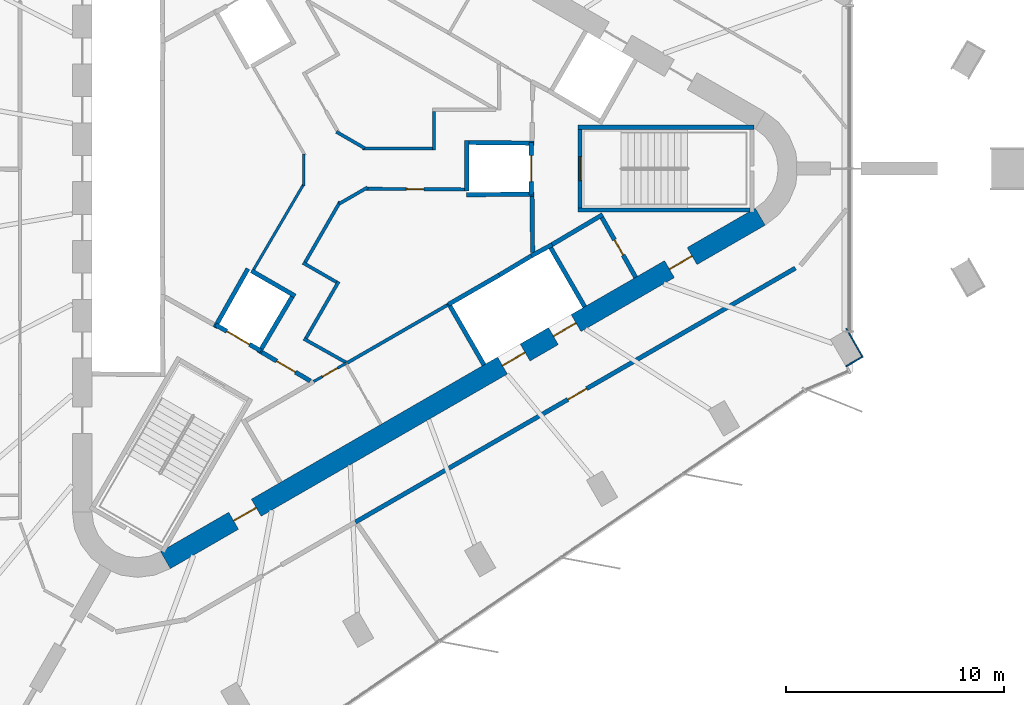
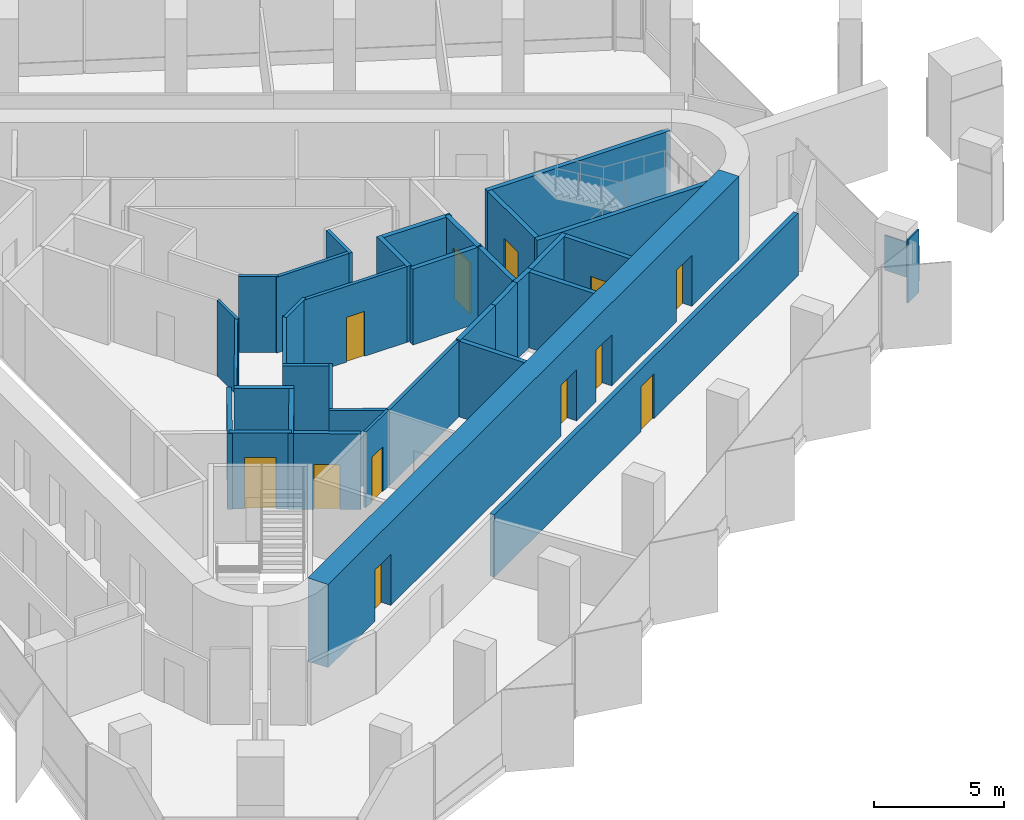
# One storey, part 8 of 12: 37 walls, 12 doors, 12 openings.
"""IFC4 building model written with IfcOpenShell, lengths in metres."""

import ifcopenshell
import ifcopenshell.guid

model = None  # the IFC model being written
_history = None  # IfcOwnerHistory: only IFC2X3 demands one
_inside = {}  # id of a spatial element -> (the spatial element, [elements in it])
_under = {}  # id of a project, library or spatial element -> (it, [spatial elements below it])
_declared = {}  # id of a project -> (the project, [libraries it declares])
_typed = {}  # id of a type object -> (the type object, [elements of that type])
_made_of = {}  # id of a material, layer set ... -> (it, [elements and type objects made of it])


def new_model(schema):
    """Start an empty IFC model of exactly this schema.

    Asked for "IFC4X3", IfcOpenShell would pick the latest addendum, in which some entities
    have other attributes; the version numbers below select the first issue.
    IFC2X3 requires an IfcOwnerHistory on every rooted entity: one is made here for all.
    """
    global model, _history
    if schema == "IFC4X3":
        model = ifcopenshell.file(schema_version=(4, 3, 0, 0))
    else:
        model = ifcopenshell.file(schema=schema)
    _inside.clear()
    _under.clear()
    _declared.clear()
    _typed.clear()
    _made_of.clear()
    _history = None
    if model.schema == "IFC2X3":
        org = make("IfcOrganization", Name="unknown")
        user = make(
            "IfcPersonAndOrganization",
            ThePerson=make("IfcPerson", FamilyName="unknown"),
            TheOrganization=org,
        )
        app = make(
            "IfcApplication",
            ApplicationDeveloper=org,
            Version="unknown",
            ApplicationFullName="unknown",
            ApplicationIdentifier="unknown",
        )
        _history = make(
            "IfcOwnerHistory",
            OwningUser=user,
            OwningApplication=app,
            ChangeAction="ADDED",
            CreationDate=0,
        )
    return model


def make(cls, **values):
    """One entity of the class cls with the attributes given. An attribute that is None is left unset."""
    return model.create_entity(
        cls, **{name: value for name, value in values.items() if value is not None}
    )


def rooted(cls, **values):
    """An entity with a GlobalId (a new one), such as an element, a storey or a relation."""
    return make(cls, GlobalId=ifcopenshell.guid.new(), OwnerHistory=_history, **values)


def si_unit(unit_type, name, prefix=None):
    """IfcSIUnit, for example si_unit("LENGTHUNIT", "METRE", prefix="MILLI")."""
    return make("IfcSIUnit", UnitType=unit_type, Prefix=prefix, Name=name)


def assignment(units):
    """IfcUnitAssignment: the units of a project."""
    return None if units is None else make("IfcUnitAssignment", Units=units)


def point(xyz):
    """IfcCartesianPoint."""
    return None if xyz is None else make("IfcCartesianPoint", Coordinates=xyz)


def direction(xyz):
    """IfcDirection."""
    return None if xyz is None else make("IfcDirection", DirectionRatios=xyz)


def frame(location, z_axis=None, x_axis=None):
    """IfcAxis2Placement3D, a coordinate frame: its origin and axes. An axis left out is left unset."""
    return make(
        "IfcAxis2Placement3D",
        Location=point(location),
        Axis=direction(z_axis),
        RefDirection=direction(x_axis),
    )


def frame_2d(location, x_axis=None):
    """IfcAxis2Placement2D, a coordinate frame in the plane: its origin and x axis."""
    return make(
        "IfcAxis2Placement2D", Location=point(location), RefDirection=direction(x_axis)
    )


def origin():
    """The frame at (0, 0, 0) with its axes left unset."""
    return frame((0.0, 0.0, 0.0))


def place(relative_to, where):
    """IfcLocalPlacement: puts the frame where relative to a parent placement (None: the world)."""
    return make(
        "IfcLocalPlacement", PlacementRelTo=relative_to, RelativePlacement=where
    )


def context(
    kind, dimensions, precision=None, world=None, true_north=None, identifier=None
):
    """IfcGeometricRepresentationContext, for example the 3D "Model" context."""
    return make(
        "IfcGeometricRepresentationContext",
        ContextIdentifier=identifier,
        ContextType=kind,
        CoordinateSpaceDimension=dimensions,
        Precision=precision,
        WorldCoordinateSystem=world,
        TrueNorth=true_north,
    )


def subcontext(parent, identifier, kind, view, scale=None):
    """IfcGeometricRepresentationSubContext, for example "Body" below "Model"."""
    return make(
        "IfcGeometricRepresentationSubContext",
        ContextIdentifier=identifier,
        ContextType=kind,
        ParentContext=parent,
        TargetScale=scale,
        TargetView=view,
    )


def project(units=None, contexts=None):
    """IfcProject with its units and contexts."""
    return rooted(
        "IfcProject",
        Name="project",
        RepresentationContexts=contexts,
        UnitsInContext=assignment(units),
    )


def spatial(cls, under=None, at=None, **own):
    """A site, building, storey or space (cls), placed at a placement, below another one or the project."""
    s = rooted(cls, ObjectPlacement=at, **own)
    if under is not None:
        _under.setdefault(under.id(), (under, []))[1].append(s)
    return s


def profile(cls, at=None, kind="AREA", **sizes):
    """A parametric profile (cls). Its sizes go by their IFC names, for example OverallWidth=200.0."""
    return make(cls, ProfileType=kind, Position=at, **sizes)


def rectangle(**sizes):
    """IfcRectangleProfileDef."""
    return profile("IfcRectangleProfileDef", **sizes)


def extrude(swept, where, along, depth):
    """IfcExtrudedAreaSolid: the profile swept, set in the frame where, extruded along a direction by depth."""
    return make(
        "IfcExtrudedAreaSolid",
        SweptArea=swept,
        Position=where,
        ExtrudedDirection=direction(along),
        Depth=depth,
    )


def shape(context_of_items, identifier, shape_type, items):
    """IfcShapeRepresentation: the items that make up one representation, for example the "Body"."""
    return make(
        "IfcShapeRepresentation",
        ContextOfItems=context_of_items,
        RepresentationIdentifier=identifier,
        RepresentationType=shape_type,
        Items=items,
    )


def material(Name=None, Category=None):
    """IfcMaterial."""
    return make("IfcMaterial", Name=Name, Category=Category)


def layer(
    of_material, thickness, ventilated=None, Name=None, Category=None, Priority=None
):
    """IfcMaterialLayer: one layer of a wall or slab, of a material (None: an air gap)."""
    return make(
        "IfcMaterialLayer",
        Material=of_material,
        LayerThickness=thickness,
        IsVentilated=ventilated,
        Name=Name,
        Category=Category,
        Priority=Priority,
    )


def layer_set(layers, Name=None):
    """IfcMaterialLayerSet."""
    return make("IfcMaterialLayerSet", MaterialLayers=layers, LayerSetName=Name)


def made_of(thing, what):
    """Note that an element or type object is made of a material, layer set ...; save() writes the relation."""
    if what is not None:
        _made_of.setdefault(what.id(), (what, []))[1].append(thing)
    return thing


def type_object(cls, material=None, **own):
    """A type object (cls), such as IfcWallType, which elements share."""
    return made_of(rooted(cls, **own), material)


def element(
    cls,
    number,
    at=None,
    inside=None,
    cuts=None,
    type_object=None,
    material=None,
    context=None,
    identifier="Body",
    shape_type=None,
    held_by="IfcProductDefinitionShape",
    body=None,
    shapes=None,
    **own,
):
    """One element of the class cls, such as IfcWall. Its Tag is "e" and its number.

    at: its placement. inside: the storey or other place that contains it. cuts: it is an
    opening in that element (IfcRelVoidsElement). A single representation is given by context,
    identifier, shape_type and body (its items); several are given by shapes. held_by: the class
    of the entity that holds the representations. save() writes the other relations.
    """
    e = rooted(cls, Tag="e%d" % number, ObjectPlacement=at, **own)
    if body is not None:
        shapes = [shape(context, identifier, shape_type, body)]
    if shapes is not None:
        e.Representation = make(held_by, Representations=shapes)
    if inside is not None:
        _inside.setdefault(inside.id(), (inside, []))[1].append(e)
    if cuts is not None:
        rooted(
            "IfcRelVoidsElement", RelatingBuildingElement=cuts, RelatedOpeningElement=e
        )
    if type_object is not None:
        _typed.setdefault(type_object.id(), (type_object, []))[1].append(e)
    return made_of(e, material)


def fill(opening, filler):
    """IfcRelFillsElement: the door or window that sits in an opening."""
    return rooted(
        "IfcRelFillsElement",
        RelatingOpeningElement=opening,
        RelatedBuildingElement=filler,
    )


def aggregate(whole, parts):
    """IfcRelAggregates: a whole, such as a stair, and the parts it consists of."""
    return rooted("IfcRelAggregates", RelatingObject=whole, RelatedObjects=parts)


def save(model, path):
    """Write the relations noted so far, then the file.

    IfcRelAggregates (storeys below a building ...), IfcRelContainedInSpatialStructure (elements
    in a storey), IfcRelDefinesByType, IfcRelAssociatesMaterial and IfcRelDeclares: one each for
    every whole, place, type object, material and project.
    """
    for whole, parts in _under.values():
        aggregate(whole, parts)
    for where, things in _inside.values():
        rooted(
            "IfcRelContainedInSpatialStructure",
            RelatedElements=things,
            RelatingStructure=where,
        )
    for kind, things in _typed.values():
        rooted("IfcRelDefinesByType", RelatedObjects=things, RelatingType=kind)
    for what, things in _made_of.values():
        rooted("IfcRelAssociatesMaterial", RelatedObjects=things, RelatingMaterial=what)
    for by, libraries in _declared.values():
        rooted("IfcRelDeclares", RelatingContext=by, RelatedDefinitions=libraries)
    model.write(path)


model = new_model("IFC4")

# Units and contexts
model_context = context("Model", 3, precision=1e-05, world=origin(), true_north=direction((0.0, 1.0)))
body_context = subcontext(model_context, "Body", "Model", "MODEL_VIEW")
ifc_project = project(units=[si_unit("LENGTHUNIT", "METRE"), si_unit("AREAUNIT", "SQUARE_METRE"), si_unit("VOLUMEUNIT", "CUBIC_METRE"), si_unit("PLANEANGLEUNIT", "RADIAN"), si_unit("MASSUNIT", "GRAM", prefix="KILO")], contexts=[model_context])

# Site, building, storey
site_placement = place(None, origin())
site = spatial("IfcSite", under=ifc_project, at=site_placement, CompositionType="ELEMENT")
building_placement = place(site_placement, origin())
building = spatial("IfcBuilding", under=site, at=building_placement, Name="Tanit Gate Tower", CompositionType="ELEMENT")
storey_placement = place(building_placement, frame((0.0, 0.0, 388.39990234375)))
storey = spatial("IfcBuildingStorey", under=building, at=storey_placement, Name="L89", CompositionType="ELEMENT", Elevation=388.39990234375)

# Wall, openings, doors
ifc_material_1 = material(Name="Concrete C40/50", Category="concrete")
ifc_layer_1 = layer(ifc_material_1, 0.89990234375)
ifc_layer_set_1 = layer_set([ifc_layer_1], Name="CORE WALL 900 C40/50")
wall_type_1 = type_object("IfcWallType", Name="CORE WALL 900 C40/50", PredefinedType="SHEAR", material=ifc_layer_set_1)
wall_1_placement = place(storey_placement, frame((-7.824951171875, -17.969970703125, 0.0), z_axis=(0.0, 0.0, 1.0), x_axis=(0.866028369851, 0.499994862586, 0.0)))
wall_1 = element("IfcWall", 1, at=wall_1_placement, inside=storey, type_object=wall_type_1, Name="CORE WALL", PredefinedType="SHEAR", context=body_context, shape_type="SweptSolid", body=[
    extrude(rectangle(XDim=31.523193359375, YDim=0.89990234375, at=frame_2d((15.76171875, 0.0))), origin(), (0.0, 0.0, 1.0), 3.900146484375),
])
opening_1_placement = place(wall_1_placement, frame((17.861572265625, 0.0, 0.0)))
opening_1 = element("IfcOpeningElement", 2, at=opening_1_placement, cuts=wall_1, Name="Opening LDSV1-89", PredefinedType="OPENING", context=body_context, shape_type="SweptSolid", body=[
    extrude(rectangle(XDim=1.199951171875, YDim=2.39990234375, at=frame_2d((0.60009765625, 1.199951171875))), frame((0.0, 0.4599609375, 0.0), z_axis=(0.0, -1.0, 0.0), x_axis=(1.0, 0.0, 0.0)), (0.0, 0.0, 1.0), 0.919921875),
])
opening_2_placement = place(wall_1_placement, frame((20.561767578125, 0.0, 0.0)))
opening_2 = element("IfcOpeningElement", 3, at=opening_2_placement, cuts=wall_1, Name="Opening LDSV2-89", PredefinedType="OPENING", context=body_context, shape_type="SweptSolid", body=[
    extrude(rectangle(XDim=1.199951171875, YDim=2.39990234375, at=frame_2d((0.60009765625, 1.199951171875))), frame((0.0, 0.4599609375, 0.0), z_axis=(0.0, -1.0, 0.0), x_axis=(1.0, 0.0, 0.0)), (0.0, 0.0, 1.0), 0.919921875),
])
opening_3_placement = place(wall_1_placement, frame((26.711669921875, 0.0, 0.0)))
opening_3 = element("IfcOpeningElement", 4, at=opening_3_placement, cuts=wall_1, Name="Opening F12-89-S1", PredefinedType="OPENING", context=body_context, shape_type="SweptSolid", body=[
    extrude(rectangle(XDim=1.199951171875, YDim=2.39990234375, at=frame_2d((0.60009765625, 1.199951171875))), frame((0.0, 0.4599609375, 0.0), z_axis=(0.0, -1.0, 0.0), x_axis=(1.0, 0.0, 0.0)), (0.0, 0.0, 1.0), 0.919921875),
])
opening_4_placement = place(wall_1_placement, frame((3.611572265625, 0.0, 0.0)))
opening_4 = element("IfcOpeningElement", 5, at=opening_4_placement, cuts=wall_1, Name="Opening F12-89-FL3", PredefinedType="OPENING", context=body_context, shape_type="SweptSolid", body=[
    extrude(rectangle(XDim=1.199951171875, YDim=2.39990234375, at=frame_2d((0.60009765625, 1.199951171875))), frame((0.0, 0.4599609375, 0.0), z_axis=(0.0, -1.0, 0.0), x_axis=(1.0, 0.0, 0.0)), (0.0, 0.0, 1.0), 0.919921875),
])
ifc_material_2 = material(Name="Fire-rated steel door leaf", Category="steel")
door_type_1 = type_object("IfcDoorType", Name="INT-DOOR-FIRE-LOBBY-1200", OperationType="NOTDEFINED", PredefinedType="USERDEFINED", material=ifc_material_2)
door_1_placement = place(opening_3_placement, origin())
door_1 = element("IfcDoor", 6, at=door_1_placement, inside=storey, type_object=door_type_1, Name="Door F12-89-S1", ObjectType="FIRE DOOR", OperationType="SINGLE_SWING_LEFT", OverallHeight=2.39990234375, OverallWidth=1.199951171875, PredefinedType="USERDEFINED", context=body_context, shape_type="SweptSolid", body=[
    extrude(rectangle(XDim=1.199951171875, YDim=2.39990234375, at=frame_2d((0.60009765625, 1.199951171875))), frame((0.0, 0.02490234375, 0.0), z_axis=(0.0, -1.0, 0.0), x_axis=(1.0, 0.0, 0.0)), (0.0, 0.0, 1.0), 0.050048828125),
])
fill(opening_3, door_1)
door_2_placement = place(opening_4_placement, origin())
door_2 = element("IfcDoor", 7, at=door_2_placement, inside=storey, type_object=door_type_1, Name="Door F12-89-FL3", ObjectType="FIRE DOOR", OperationType="SINGLE_SWING_LEFT", OverallHeight=2.39990234375, OverallWidth=1.199951171875, PredefinedType="USERDEFINED", context=body_context, shape_type="SweptSolid", body=[
    extrude(rectangle(XDim=1.199951171875, YDim=2.39990234375, at=frame_2d((0.60009765625, 1.199951171875))), frame((0.0, 0.02490234375, 0.0), z_axis=(0.0, -1.0, 0.0), x_axis=(1.0, 0.0, 0.0)), (0.0, 0.0, 1.0), 0.050048828125),
])
fill(opening_4, door_2)
ifc_material_3 = material(Name="Stainless steel sliding door leaf", Category="steel")
door_type_2 = type_object("IfcDoorType", Name="INT-DOOR-LANDING-1200", OperationType="NOTDEFINED", PredefinedType="USERDEFINED", material=ifc_material_3)
door_3_placement = place(opening_1_placement, origin())
door_3 = element("IfcDoor", 8, at=door_3_placement, inside=storey, type_object=door_type_2, Name="Door LDSV1-89", ObjectType="LANDING DOOR", OperationType="SLIDING_TO_LEFT", OverallHeight=2.39990234375, OverallWidth=1.199951171875, PredefinedType="USERDEFINED", context=body_context, shape_type="SweptSolid", body=[
    extrude(rectangle(XDim=1.199951171875, YDim=2.39990234375, at=frame_2d((0.60009765625, 1.199951171875))), frame((0.0, 0.02490234375, 0.0), z_axis=(0.0, -1.0, 0.0), x_axis=(1.0, 0.0, 0.0)), (0.0, 0.0, 1.0), 0.050048828125),
])
fill(opening_1, door_3)
door_4_placement = place(opening_2_placement, origin())
door_4 = element("IfcDoor", 9, at=door_4_placement, inside=storey, type_object=door_type_2, Name="Door LDSV2-89", ObjectType="LANDING DOOR", OperationType="SLIDING_TO_LEFT", OverallHeight=2.39990234375, OverallWidth=1.199951171875, PredefinedType="USERDEFINED", context=body_context, shape_type="SweptSolid", body=[
    extrude(rectangle(XDim=1.199951171875, YDim=2.39990234375, at=frame_2d((0.60009765625, 1.199951171875))), frame((0.0, 0.02490234375, 0.0), z_axis=(0.0, -1.0, 0.0), x_axis=(1.0, 0.0, 0.0)), (0.0, 0.0, 1.0), 0.050048828125),
])
fill(opening_2, door_4)

# Walls
ifc_material_4 = material(Name="Bronze anodised aluminium cladding", Category="aluminium")
ifc_layer_2 = layer(ifc_material_4, 0.06005859375)
ifc_layer_set_2 = layer_set([ifc_layer_2], Name="Column casing bronze 60")
wall_type_2 = type_object("IfcWallType", Name="Column casing bronze 60", PredefinedType="SOLIDWALL", material=ifc_layer_set_2)
wall_2_placement = place(storey_placement, frame((23.42578125, -7.34521484375, 1.10009765625), z_axis=(0.0, 0.0, 1.0), x_axis=(0.499991248344, -0.866030456496, 0.0)))
element("IfcWall", 10, at=wall_2_placement, inside=storey, type_object=wall_type_2, Name="Column casing L89 P-SE7.L1", PredefinedType="SOLIDWALL", context=body_context, shape_type="SweptSolid", body=[
    extrude(rectangle(XDim=1.52001953125, YDim=0.06005859375, at=frame_2d((0.760009765625, 0.0))), origin(), (0.0, 0.0, 1.0), 1.635986328125),
])
wall_3_placement = place(storey_placement, frame((23.40869140625, -9.075439453125, 0.60009765625), z_axis=(0.0, 0.0, 1.0), x_axis=(0.865989465428, 0.500062241894, 0.0)))
element("IfcWall", 11, at=wall_3_placement, inside=storey, type_object=wall_type_2, Name="Column casing L89 P-SE7.S1", PredefinedType="SOLIDWALL", context=body_context, shape_type="SweptSolid", body=[
    extrude(rectangle(XDim=0.85009765625, YDim=0.06005859375, at=frame_2d((0.425048828125, 0.0))), origin(), (0.0, 0.0, 1.0), 2.949951171875),
])
ifc_material_5 = material(Name="Fire-rated gypsum board partition")
ifc_layer_3 = layer(ifc_material_5, 0.199951171875)
ifc_layer_set_3 = layer_set([ifc_layer_3], Name="INT-WALL-COMPARTMENT")
wall_type_3 = type_object("IfcWallType", Name="INT-WALL-COMPARTMENT", PredefinedType="PARTITIONING", material=ifc_layer_set_3)
wall_4_placement = place(storey_placement, frame((12.244873046875, -2.10888671875, 0.0), z_axis=(0.0, 0.0, 1.0), x_axis=(-0.860414880418, -0.509594185166, 0.0)))
element("IfcWall", 12, at=wall_4_placement, inside=storey, type_object=wall_type_3, Name="Wall Compartment W062", PredefinedType="PARTITIONING", context=body_context, shape_type="SweptSolid", body=[
    extrude(rectangle(XDim=2.7001953125, YDim=0.199951171875, at=frame_2d((1.35009765625, 0.0))), origin(), (0.0, 0.0, 1.0), 3.550048828125),
])

# Wall, opening, door
wall_5_placement = place(storey_placement, frame((13.758056640625, -4.989501953125, 0.0), z_axis=(0.0, 0.0, 1.0), x_axis=(-0.491993409184, 0.87059892334, 0.0)))
wall_5 = element("IfcWall", 13, at=wall_5_placement, inside=storey, type_object=wall_type_3, Name="Wall Compartment W063", PredefinedType="PARTITIONING", context=body_context, shape_type="SweptSolid", body=[
    extrude(rectangle(XDim=3.150146484375, YDim=0.199951171875, at=frame_2d((1.5751953125, 0.0))), origin(), (0.0, 0.0, 1.0), 3.550048828125),
])
opening_5_placement = place(wall_5_placement, frame((1.175048828125, 0.0, 0.0)))
opening_5 = element("IfcOpeningElement", 14, at=opening_5_placement, cuts=wall_5, Name="Opening R08-89-19", PredefinedType="OPENING", context=body_context, shape_type="SweptSolid", body=[
    extrude(rectangle(XDim=0.800048828125, YDim=2.10009765625, at=frame_2d((0.39990234375, 1.050048828125))), frame((0.0, 0.10986328125, 0.0), z_axis=(0.0, -1.0, 0.0), x_axis=(1.0, 0.0, 0.0)), (0.0, 0.0, 1.0), 0.219970703125),
])
ifc_material_6 = material(Name="Timber door leaf", Category="wood")
door_type_3 = type_object("IfcDoorType", Name="INT-DOOR-RISER-800", OperationType="NOTDEFINED", PredefinedType="USERDEFINED", material=ifc_material_6)
door_5_placement = place(opening_5_placement, origin())
door_5 = element("IfcDoor", 15, at=door_5_placement, inside=storey, type_object=door_type_3, Name="Door R08-89-19", ObjectType="FIRE DOOR", OperationType="SINGLE_SWING_LEFT", OverallHeight=2.10009765625, OverallWidth=0.800048828125, PredefinedType="USERDEFINED", context=body_context, shape_type="SweptSolid", body=[
    extrude(rectangle(XDim=0.800048828125, YDim=2.10009765625, at=frame_2d((0.39990234375, 1.050048828125))), frame((0.0, 0.02490234375, 0.0), z_axis=(0.0, -1.0, 0.0), x_axis=(1.0, 0.0, 0.0)), (0.0, 0.0, 1.0), 0.050048828125),
])
fill(opening_5, door_5)

# Wall
wall_6_placement = place(storey_placement, frame((9.02880859375, -3.8505859375, 0.0), z_axis=(0.0, 0.0, 1.0), x_axis=(-0.010784614026, 0.999941844359, 0.0)))
element("IfcWall", 16, at=wall_6_placement, inside=storey, type_object=wall_type_3, Name="Wall Compartment W064", PredefinedType="PARTITIONING", context=body_context, shape_type="SweptSolid", body=[
    extrude(rectangle(XDim=2.580810546875, YDim=0.199951171875, at=frame_2d((1.29052734375, 0.0))), origin(), (0.0, 0.0, 1.0), 3.550048828125),
])

# Wall, opening, door
wall_7_placement = place(storey_placement, frame((-3.400634765625, -8.43017578125, 0.0), z_axis=(0.0, 0.0, 1.0), x_axis=(0.860630814782, -0.509229418482, 0.0)))
wall_7 = element("IfcWall", 17, at=wall_7_placement, inside=storey, type_object=wall_type_3, Name="Wall Compartment W069", PredefinedType="PARTITIONING", context=body_context, shape_type="SweptSolid", body=[
    extrude(rectangle(XDim=2.581787109375, YDim=0.199951171875, at=frame_2d((1.291015625, 0.0))), origin(), (0.0, 0.0, 1.0), 3.550048828125),
])
opening_6_placement = place(wall_7_placement, frame((0.791015625, 0.0, 0.0)))
opening_6 = element("IfcOpeningElement", 18, at=opening_6_placement, cuts=wall_7, Name="Opening F10-89-08", PredefinedType="OPENING", context=body_context, shape_type="SweptSolid", body=[
    extrude(rectangle(XDim=1.0, YDim=2.10009765625, at=frame_2d((0.5, 1.050048828125))), frame((0.0, 0.10986328125, 0.0), z_axis=(0.0, -1.0, 0.0), x_axis=(1.0, 0.0, 0.0)), (0.0, 0.0, 1.0), 0.219970703125),
])
ifc_material_7 = material(Name="Fire-rated steel door leaf", Category="steel")
door_type_4 = type_object("IfcDoorType", Name="INT-DOOR-FIRE-1000", OperationType="NOTDEFINED", PredefinedType="USERDEFINED", material=ifc_material_7)
door_6_placement = place(opening_6_placement, origin())
door_6 = element("IfcDoor", 19, at=door_6_placement, inside=storey, type_object=door_type_4, Name="Door F10-89-08", ObjectType="FIRE DOOR", OperationType="SINGLE_SWING_LEFT", OverallHeight=2.10009765625, OverallWidth=1.0, PredefinedType="USERDEFINED", context=body_context, shape_type="SweptSolid", body=[
    extrude(rectangle(XDim=1.0, YDim=2.10009765625, at=frame_2d((0.5, 1.050048828125))), frame((0.0, 0.02490234375, 0.0), z_axis=(0.0, -1.0, 0.0), x_axis=(1.0, 0.0, 0.0)), (0.0, 0.0, 1.0), 0.050048828125),
])
fill(opening_6, door_6)

wall_8_placement = place(storey_placement, frame((0.895751953125, -16.22607421875, 0.0), z_axis=(0.0, 0.0, 1.0), x_axis=(0.866023073584, 0.500004036004, 0.0)))
wall_8 = element("IfcWall", 20, at=wall_8_placement, inside=storey, type_object=wall_type_3, Name="Wall Compartment W121", PredefinedType="PARTITIONING", context=body_context, shape_type="SweptSolid", body=[
    extrude(rectangle(XDim=23.316162109375, YDim=0.199951171875, at=frame_2d((11.658203125, 0.0))), origin(), (0.0, 0.0, 1.0), 2.920166015625),
])
opening_7_placement = place(wall_8_placement, frame((11.25634765625, 0.0, 0.0)))
opening_7 = element("IfcOpeningElement", 21, at=opening_7_placement, cuts=wall_8, Name="Opening F10-89-28", PredefinedType="OPENING", context=body_context, shape_type="SweptSolid", body=[
    extrude(rectangle(XDim=1.0, YDim=2.10009765625, at=frame_2d((0.5, 1.050048828125))), frame((0.0, 0.10986328125, 0.0), z_axis=(0.0, -1.0, 0.0), x_axis=(1.0, 0.0, 0.0)), (0.0, 0.0, 1.0), 0.219970703125),
])
door_7_placement = place(opening_7_placement, origin())
door_7 = element("IfcDoor", 22, at=door_7_placement, inside=storey, type_object=door_type_4, Name="Door F10-89-28", ObjectType="FIRE DOOR", OperationType="SINGLE_SWING_RIGHT", OverallHeight=2.10009765625, OverallWidth=1.0, PredefinedType="USERDEFINED", context=body_context, shape_type="SweptSolid", body=[
    extrude(rectangle(XDim=1.0, YDim=2.10009765625, at=frame_2d((0.5, 1.050048828125))), frame((0.0, 0.02490234375, 0.0), z_axis=(0.0, -1.0, 0.0), x_axis=(1.0, 0.0, 0.0)), (0.0, 0.0, 1.0), 0.050048828125),
])
fill(opening_7, door_7)

ifc_material_8 = material(Name="Gypsum board partition")
ifc_layer_4 = layer(ifc_material_8, 0.1201171875)
ifc_layer_set_4 = layer_set([ifc_layer_4], Name="INT-WALL-PARTITION")
wall_type_4 = type_object("IfcWallType", Name="INT-WALL-PARTITION", PredefinedType="PARTITIONING", material=ifc_layer_set_4)
wall_9_placement = place(storey_placement, frame((0.478271484375, -8.928466796875, 0.0), z_axis=(0.0, 0.0, 1.0), x_axis=(-0.871968924608, -0.489561226527, 0.0)))
wall_9 = element("IfcWall", 23, at=wall_9_placement, inside=storey, type_object=wall_type_4, Name="Wall Partition W060", PredefinedType="PARTITIONING", context=body_context, shape_type="SweptSolid", body=[
    extrude(rectangle(XDim=1.722412109375, YDim=0.1201171875, at=frame_2d((0.861328125, 0.0))), origin(), (0.0, 0.0, 1.0), 3.550048828125),
])
opening_8_placement = place(wall_9_placement, frame((0.461181640625, 0.0, 0.0)))
opening_8 = element("IfcOpeningElement", 24, at=opening_8_placement, cuts=wall_9, Name="Opening R08-89-17", PredefinedType="OPENING", context=body_context, shape_type="SweptSolid", body=[
    extrude(rectangle(XDim=0.800048828125, YDim=2.10009765625, at=frame_2d((0.39990234375, 1.050048828125))), frame((0.0, 0.070068359375, 0.0), z_axis=(0.0, -1.0, 0.0), x_axis=(1.0, 0.0, 0.0)), (0.0, 0.0, 1.0), 0.14013671875),
])
door_8_placement = place(opening_8_placement, origin())
door_8 = element("IfcDoor", 25, at=door_8_placement, inside=storey, type_object=door_type_3, Name="Door R08-89-17", ObjectType="FIRE DOOR", OperationType="SINGLE_SWING_RIGHT", OverallHeight=2.10009765625, OverallWidth=0.800048828125, PredefinedType="USERDEFINED", context=body_context, shape_type="SweptSolid", body=[
    extrude(rectangle(XDim=0.800048828125, YDim=2.10009765625, at=frame_2d((0.39990234375, 1.050048828125))), frame((0.0, 0.02490234375, 0.0), z_axis=(0.0, -1.0, 0.0), x_axis=(1.0, 0.0, 0.0)), (0.0, 0.0, 1.0), 0.050048828125),
])
fill(opening_8, door_8)

# Walls
wall_10_placement = place(storey_placement, frame((-1.47216796875, -0.802490234375, 0.0), z_axis=(0.0, 0.0, 1.0), x_axis=(0.0, 1.0, 0.0)))
element("IfcWall", 26, at=wall_10_placement, inside=storey, type_object=wall_type_4, Name="Wall Partition W071", PredefinedType="PARTITIONING", context=body_context, shape_type="SweptSolid", body=[
    extrude(rectangle(XDim=1.483642578125, YDim=0.1201171875, at=frame_2d((0.74169921875, 0.0))), origin(), (0.0, 0.0, 1.0), 3.550048828125),
])
wall_11_placement = place(storey_placement, frame((-3.776123046875, -4.632568359375, 0.0), z_axis=(0.0, 0.0, 1.0), x_axis=(0.505505519663, 0.862823371027, 0.0)))
element("IfcWall", 27, at=wall_11_placement, inside=storey, type_object=wall_type_4, Name="Wall Partition W072", PredefinedType="PARTITIONING", context=body_context, shape_type="SweptSolid", body=[
    extrude(rectangle(XDim=4.538818359375, YDim=0.1201171875, at=frame_2d((2.26953125, 0.0))), origin(), (0.0, 0.0, 1.0), 3.550048828125),
])
ifc_material_9 = material(Name="Fire-rated gypsum board partition")
ifc_layer_5 = layer(ifc_material_9, 0.14990234375)
ifc_layer_set_5 = layer_set([ifc_layer_5], Name="INT-WALL-RISER")
wall_type_5 = type_object("IfcWallType", Name="INT-WALL-RISER", PredefinedType="PLUMBINGWALL", material=ifc_layer_set_5)
wall_12_placement = place(storey_placement, frame((0.482666015625, -8.935791015625, 0.0), z_axis=(0.0, 0.0, 1.0), x_axis=(0.866028230842, 0.499995103361, 0.0)))
element("IfcWall", 28, at=wall_12_placement, inside=storey, type_object=wall_type_5, Name="Wall Riser W061", PredefinedType="PLUMBINGWALL", context=body_context, shape_type="SweptSolid", body=[
    extrude(rectangle(XDim=5.39990234375, YDim=0.14990234375, at=frame_2d((2.699951171875, 0.0))), origin(), (0.0, 0.0, 1.0), 3.550048828125),
])
wall_13_placement = place(storey_placement, frame((-1.47705078125, -7.808349609375, 0.0), z_axis=(0.0, 0.0, 1.0), x_axis=(0.871822901869, -0.48982122022, 0.0)))
element("IfcWall", 29, at=wall_13_placement, inside=storey, type_object=wall_type_5, Name="Wall Riser W073", PredefinedType="PLUMBINGWALL", context=body_context, shape_type="SweptSolid", body=[
    extrude(rectangle(XDim=2.239501953125, YDim=0.14990234375, at=frame_2d((1.11962890625, 0.0))), origin(), (0.0, 0.0, 1.0), 3.550048828125),
])
wall_14_placement = place(storey_placement, frame((0.125732421875, -5.18212890625, 0.0), z_axis=(0.0, 0.0, 1.0), x_axis=(-0.499990139034, -0.866031096941, 0.0)))
element("IfcWall", 30, at=wall_14_placement, inside=storey, type_object=wall_type_5, Name="Wall Riser W074", PredefinedType="PLUMBINGWALL", context=body_context, shape_type="SweptSolid", body=[
    extrude(rectangle(XDim=3.0, YDim=0.14990234375, at=frame_2d((1.5, 0.0))), origin(), (0.0, 0.0, 1.0), 3.550048828125),
])
wall_15_placement = place(storey_placement, frame((-1.513916015625, -4.322021484375, 0.0), z_axis=(0.0, 0.0, 1.0), x_axis=(0.866000072607, -0.50004387232, 0.0)))
element("IfcWall", 31, at=wall_15_placement, inside=storey, type_object=wall_type_5, Name="Wall Riser W075", PredefinedType="PLUMBINGWALL", context=body_context, shape_type="SweptSolid", body=[
    extrude(rectangle(XDim=1.775146484375, YDim=0.14990234375, at=frame_2d((0.8876953125, 0.0))), origin(), (0.0, 0.0, 1.0), 3.550048828125),
])
wall_16_placement = place(storey_placement, frame((0.19482421875, -1.512451171875, 0.0), z_axis=(0.0, 0.0, 1.0), x_axis=(-0.499972432429, -0.866041319344, 0.0)))
element("IfcWall", 32, at=wall_16_placement, inside=storey, type_object=wall_type_5, Name="Wall Riser W076", PredefinedType="PLUMBINGWALL", context=body_context, shape_type="SweptSolid", body=[
    extrude(rectangle(XDim=3.212646484375, YDim=0.14990234375, at=frame_2d((1.6064453125, 0.0))), origin(), (0.0, 0.0, 1.0), 3.550048828125),
])
wall_17_placement = place(storey_placement, frame((1.453125, -0.861083984375, 0.0), z_axis=(0.0, 0.0, 1.0), x_axis=(-0.86608832794, -0.499890996325, 0.0)))
element("IfcWall", 33, at=wall_17_placement, inside=storey, type_object=wall_type_5, Name="Wall Riser W077", PredefinedType="PLUMBINGWALL", context=body_context, shape_type="SweptSolid", body=[
    extrude(rectangle(XDim=1.504638671875, YDim=0.14990234375, at=frame_2d((0.75244140625, 0.0))), origin(), (0.0, 0.0, 1.0), 3.550048828125),
])

# Wall, opening, door
wall_18_placement = place(storey_placement, frame((5.89990234375, -0.953857421875, 0.0), z_axis=(0.0, 0.0, 1.0), x_axis=(-0.999979813999, 0.006353864523, 0.0)))
wall_18 = element("IfcWall", 34, at=wall_18_placement, inside=storey, type_object=wall_type_5, Name="Wall Riser W078", PredefinedType="PLUMBINGWALL", context=body_context, shape_type="SweptSolid", body=[
    extrude(rectangle(XDim=4.533935546875, YDim=0.14990234375, at=frame_2d((2.26708984375, 0.0))), origin(), (0.0, 0.0, 1.0), 3.550048828125),
])
opening_9_placement = place(wall_18_placement, frame((1.8671875, 0.0, 0.0)))
opening_9 = element("IfcOpeningElement", 35, at=opening_9_placement, cuts=wall_18, Name="Opening R08-89-11", PredefinedType="OPENING", context=body_context, shape_type="SweptSolid", body=[
    extrude(rectangle(XDim=0.800048828125, YDim=2.10009765625, at=frame_2d((0.39990234375, 1.050048828125))), frame((0.0, 0.0849609375, 0.0), z_axis=(0.0, -1.0, 0.0), x_axis=(1.0, 0.0, 0.0)), (0.0, 0.0, 1.0), 0.169921875),
])
door_9_placement = place(opening_9_placement, origin())
door_9 = element("IfcDoor", 36, at=door_9_placement, inside=storey, type_object=door_type_3, Name="Door R08-89-11", ObjectType="FIRE DOOR", OperationType="SINGLE_SWING_RIGHT", OverallHeight=2.10009765625, OverallWidth=0.800048828125, PredefinedType="USERDEFINED", context=body_context, shape_type="SweptSolid", body=[
    extrude(rectangle(XDim=0.800048828125, YDim=2.10009765625, at=frame_2d((0.39990234375, 1.050048828125))), frame((0.0, 0.02490234375, 0.0), z_axis=(0.0, -1.0, 0.0), x_axis=(1.0, 0.0, 0.0)), (0.0, 0.0, 1.0), 0.050048828125),
])
fill(opening_9, door_9)

# Walls
wall_19_placement = place(storey_placement, frame((4.5, 0.85009765625, 0.0), z_axis=(0.0, 0.0, 1.0), x_axis=(0.0, 1.0, 0.0)))
element("IfcWall", 37, at=wall_19_placement, inside=storey, type_object=wall_type_5, Name="Wall Riser W083", PredefinedType="PLUMBINGWALL", context=body_context, shape_type="SweptSolid", body=[
    extrude(rectangle(XDim=1.77490234375, YDim=0.14990234375, at=frame_2d((0.887451171875, 0.0))), origin(), (0.0, 0.0, 1.0), 3.550048828125),
])
wall_20_placement = place(storey_placement, frame((1.21240234375, 0.925048828125, 0.0), z_axis=(0.0, 0.0, 1.0), x_axis=(1.0, 0.0, 0.0)))
element("IfcWall", 38, at=wall_20_placement, inside=storey, type_object=wall_type_5, Name="Wall Riser W084", PredefinedType="PLUMBINGWALL", context=body_context, shape_type="SweptSolid", body=[
    extrude(rectangle(XDim=3.212646484375, YDim=0.14990234375, at=frame_2d((1.6064453125, 0.0))), origin(), (0.0, 0.0, 1.0), 3.550048828125),
])
wall_21_placement = place(storey_placement, frame((0.017333984375, 1.68994140625, 0.0), z_axis=(0.0, 0.0, 1.0), x_axis=(0.866020997002, -0.500007632694, 0.0)))
element("IfcWall", 39, at=wall_21_placement, inside=storey, type_object=wall_type_5, Name="Wall Riser W085", PredefinedType="PLUMBINGWALL", context=body_context, shape_type="SweptSolid", body=[
    extrude(rectangle(XDim=1.5068359375, YDim=0.14990234375, at=frame_2d((0.75341796875, 0.0))), origin(), (0.0, 0.0, 1.0), 3.550048828125),
])
ifc_material_10 = material(Name="Gypsum shaft wall system")
ifc_layer_6 = layer(ifc_material_10, 0.199951171875)
ifc_layer_set_6 = layer_set([ifc_layer_6], Name="INT-WALL-SHAFT")
wall_type_6 = type_object("IfcWallType", Name="INT-WALL-SHAFT", PredefinedType="PLUMBINGWALL", material=ifc_layer_set_6)
wall_22_placement = place(storey_placement, frame((6.795166015625, -9.009521484375, 0.0), z_axis=(0.0, 0.0, 1.0), x_axis=(-0.499984717929, 0.866034226713, 0.0)))
element("IfcWall", 40, at=wall_22_placement, inside=storey, type_object=wall_type_6, Name="Wall Shaft W015", PredefinedType="PLUMBINGWALL", context=body_context, shape_type="SweptSolid", body=[
    extrude(rectangle(XDim=3.25, YDim=0.199951171875, at=frame_2d((1.625, 0.0))), origin(), (0.0, 0.0, 1.0), 3.550048828125),
])
wall_23_placement = place(storey_placement, frame((5.1591796875, -6.23583984375, 0.0), z_axis=(0.0, 0.0, 1.0), x_axis=(0.866036505625, 0.499980770555, 0.0)))
element("IfcWall", 41, at=wall_23_placement, inside=storey, type_object=wall_type_6, Name="Wall Shaft W016", PredefinedType="PLUMBINGWALL", context=body_context, shape_type="SweptSolid", body=[
    extrude(rectangle(XDim=2.69970703125, YDim=0.199951171875, at=frame_2d((1.349853515625, 0.0))), origin(), (0.0, 0.0, 1.0), 3.550048828125),
])
wall_24_placement = place(storey_placement, frame((9.794677734375, -3.52490234375, 0.0), z_axis=(0.0, 0.0, 1.0), x_axis=(0.499984717929, -0.866034226713, 0.0)))
element("IfcWall", 42, at=wall_24_placement, inside=storey, type_object=wall_type_6, Name="Wall Shaft W017", PredefinedType="PLUMBINGWALL", context=body_context, shape_type="SweptSolid", body=[
    extrude(rectangle(XDim=3.25, YDim=0.199951171875, at=frame_2d((1.625, 0.0))), origin(), (0.0, 0.0, 1.0), 3.550048828125),
])
wall_25_placement = place(storey_placement, frame((8.97412109375, -3.998779296875, 0.0), z_axis=(0.0, 0.0, 1.0), x_axis=(0.880907015104, 0.473289373154, 0.0)))
element("IfcWall", 43, at=wall_25_placement, inside=storey, type_object=wall_type_6, Name="Wall Shaft W018", PredefinedType="PLUMBINGWALL", context=body_context, shape_type="SweptSolid", body=[
    extrude(rectangle(XDim=1.078125, YDim=0.199951171875, at=frame_2d((0.5390625, 0.0))), origin(), (0.0, 0.0, 1.0), 3.550048828125),
])
wall_26_placement = place(storey_placement, frame((7.497314453125, -4.885986328125, 0.0), z_axis=(0.0, 0.0, 1.0), x_axis=(0.857516281273, 0.51445682749, 0.0)))
element("IfcWall", 44, at=wall_26_placement, inside=storey, type_object=wall_type_6, Name="Wall Shaft W019", PredefinedType="PLUMBINGWALL", context=body_context, shape_type="SweptSolid", body=[
    extrude(rectangle(XDim=1.8447265625, YDim=0.199951171875, at=frame_2d((0.92236328125, 0.0))), origin(), (0.0, 0.0, 1.0), 3.550048828125),
])

# Wall, opening, door
wall_27_placement = place(storey_placement, frame((8.969970703125, 1.199951171875, 0.0), z_axis=(0.0, 0.0, 1.0), x_axis=(0.0, -1.0, 0.0)))
wall_27 = element("IfcWall", 45, at=wall_27_placement, inside=storey, type_object=wall_type_6, Name="Wall Shaft W025", PredefinedType="PLUMBINGWALL", context=body_context, shape_type="SweptSolid", body=[
    extrude(rectangle(XDim=2.39990234375, YDim=0.199951171875, at=frame_2d((1.199951171875, 0.0))), origin(), (0.0, 0.0, 1.0), 3.550048828125),
])
opening_10_placement = place(wall_27_placement, frame((0.60009765625, 0.0, 0.0)))
opening_10 = element("IfcOpeningElement", 46, at=opening_10_placement, cuts=wall_27, Name="Opening LDFL1-L89", PredefinedType="OPENING", context=body_context, shape_type="SweptSolid", body=[
    extrude(rectangle(XDim=1.199951171875, YDim=2.39990234375, at=frame_2d((0.60009765625, 1.199951171875))), frame((0.0, 0.10986328125, 0.0), z_axis=(0.0, -1.0, 0.0), x_axis=(1.0, 0.0, 0.0)), (0.0, 0.0, 1.0), 0.219970703125),
])
door_10_placement = place(opening_10_placement, origin())
door_10 = element("IfcDoor", 47, at=door_10_placement, inside=storey, type_object=door_type_2, Name="Door LDFL1-L89", ObjectType="LANDING DOOR", OperationType="SLIDING_TO_LEFT", OverallHeight=2.39990234375, OverallWidth=1.199951171875, PredefinedType="USERDEFINED", context=body_context, shape_type="SweptSolid", body=[
    extrude(rectangle(XDim=1.199951171875, YDim=2.39990234375, at=frame_2d((0.60009765625, 1.199951171875))), frame((0.0, 0.02490234375, 0.0), z_axis=(0.0, -1.0, 0.0), x_axis=(1.0, 0.0, 0.0)), (0.0, 0.0, 1.0), 0.050048828125),
])
fill(opening_10, door_10)

# Walls
wall_28_placement = place(storey_placement, frame((9.10009765625, -1.1689453125, 0.0), z_axis=(0.0, 0.0, 1.0), x_axis=(-0.999949988, -0.010001074852, 0.0)))
element("IfcWall", 48, at=wall_28_placement, inside=storey, type_object=wall_type_6, Name="Wall Shaft W026", PredefinedType="PLUMBINGWALL", context=body_context, shape_type="SweptSolid", body=[
    extrude(rectangle(XDim=3.100341796875, YDim=0.199951171875, at=frame_2d((1.55029296875, 0.0))), origin(), (0.0, 0.0, 1.0), 3.550048828125),
])
wall_29_placement = place(storey_placement, frame((6.0, -1.029541015625, 0.0), z_axis=(0.0, 0.0, 1.0), x_axis=(0.0, 1.0, 0.0)))
element("IfcWall", 49, at=wall_29_placement, inside=storey, type_object=wall_type_6, Name="Wall Shaft W027", PredefinedType="PLUMBINGWALL", context=body_context, shape_type="SweptSolid", body=[
    extrude(rectangle(XDim=2.32958984375, YDim=0.199951171875, at=frame_2d((1.164794921875, 0.0))), origin(), (0.0, 0.0, 1.0), 3.550048828125),
])
wall_30_placement = place(storey_placement, frame((9.10009765625, 1.1689453125, 0.0), z_axis=(0.0, 0.0, 1.0), x_axis=(-0.99994990606, 0.010009264196, 0.0)))
element("IfcWall", 50, at=wall_30_placement, inside=storey, type_object=wall_type_6, Name="Wall Shaft W028", PredefinedType="PLUMBINGWALL", context=body_context, shape_type="SweptSolid", body=[
    extrude(rectangle(XDim=3.000244140625, YDim=0.199951171875, at=frame_2d((1.5, 0.0))), origin(), (0.0, 0.0, 1.0), 3.550048828125),
])

# Wall, opening, door
wall_31_placement = place(storey_placement, frame((-3.44580078125, -8.3681640625, 0.0), z_axis=(0.0, 0.0, 1.0), x_axis=(-0.866024647952, 0.500001309137, 0.0)))
wall_31 = element("IfcWall", 51, at=wall_31_placement, inside=storey, type_object=wall_type_6, Name="Wall Shaft W043", PredefinedType="PLUMBINGWALL", context=body_context, shape_type="SweptSolid", body=[
    extrude(rectangle(XDim=2.39990234375, YDim=0.199951171875, at=frame_2d((1.199951171875, 0.0))), origin(), (0.0, 0.0, 1.0), 3.550048828125),
])
opening_11_placement = place(wall_31_placement, frame((0.60009765625, 0.0, 0.0)))
opening_11 = element("IfcOpeningElement", 52, at=opening_11_placement, cuts=wall_31, Name="Opening LDFL3-L89", PredefinedType="OPENING", context=body_context, shape_type="SweptSolid", body=[
    extrude(rectangle(XDim=1.199951171875, YDim=2.39990234375, at=frame_2d((0.60009765625, 1.199951171875))), frame((0.0, 0.10986328125, 0.0), z_axis=(0.0, -1.0, 0.0), x_axis=(1.0, 0.0, 0.0)), (0.0, 0.0, 1.0), 0.219970703125),
])
door_11_placement = place(opening_11_placement, origin())
door_11 = element("IfcDoor", 53, at=door_11_placement, inside=storey, type_object=door_type_2, Name="Door LDFL3-L89", ObjectType="LANDING DOOR", OperationType="SLIDING_TO_LEFT", OverallHeight=2.39990234375, OverallWidth=1.199951171875, PredefinedType="USERDEFINED", context=body_context, shape_type="SweptSolid", body=[
    extrude(rectangle(XDim=1.199951171875, YDim=2.39990234375, at=frame_2d((0.60009765625, 1.199951171875))), frame((0.0, 0.02490234375, 0.0), z_axis=(0.0, -1.0, 0.0), x_axis=(1.0, 0.0, 0.0)), (0.0, 0.0, 1.0), 0.050048828125),
])
fill(opening_11, door_11)

# Walls
wall_32_placement = place(storey_placement, frame((-5.5625, -7.29638671875, 0.0), z_axis=(0.0, 0.0, 1.0), x_axis=(0.491322718731, 0.870977603649, 0.0)))
element("IfcWall", 54, at=wall_32_placement, inside=storey, type_object=wall_type_6, Name="Wall Shaft W044", PredefinedType="PLUMBINGWALL", context=body_context, shape_type="SweptSolid", body=[
    extrude(rectangle(XDim=3.10009765625, YDim=0.199951171875, at=frame_2d((1.550048828125, 0.0))), origin(), (0.0, 0.0, 1.0), 3.550048828125),
])
wall_33_placement = place(storey_placement, frame((-3.878662109375, -4.68896484375, 0.0), z_axis=(0.0, 0.0, 1.0), x_axis=(0.866027491634, -0.499996383721, 0.0)))
element("IfcWall", 55, at=wall_33_placement, inside=storey, type_object=wall_type_6, Name="Wall Shaft W045", PredefinedType="PLUMBINGWALL", context=body_context, shape_type="SweptSolid", body=[
    extrude(rectangle(XDim=2.314453125, YDim=0.199951171875, at=frame_2d((1.1572265625, 0.0))), origin(), (0.0, 0.0, 1.0), 3.550048828125),
])
wall_34_placement = place(storey_placement, frame((-2.01171875, -5.88232421875, 0.0), z_axis=(0.0, 0.0, 1.0), x_axis=(-0.508619639323, -0.860991325447, 0.0)))
element("IfcWall", 56, at=wall_34_placement, inside=storey, type_object=wall_type_6, Name="Wall Shaft W046", PredefinedType="PLUMBINGWALL", context=body_context, shape_type="SweptSolid", body=[
    extrude(rectangle(XDim=3.0, YDim=0.199951171875, at=frame_2d((1.5, 0.0))), origin(), (0.0, 0.0, 1.0), 3.550048828125),
])
ifc_material_11 = material(Name="Concrete C40/50", Category="concrete")
ifc_layer_7 = layer(ifc_material_11, 0.199951171875)
ifc_layer_set_7 = layer_set([ifc_layer_7], Name="INT-WALL-STAIR")
wall_type_7 = type_object("IfcWallType", Name="INT-WALL-STAIR", PredefinedType="SHEAR", material=ifc_layer_set_7)
wall_35_placement = place(storey_placement, frame((19.199951171875, 1.89990234375, -0.2998046875), z_axis=(0.0, 0.0, 1.0), x_axis=(-1.0, 0.0, 0.0)))
element("IfcWall", 57, at=wall_35_placement, inside=storey, type_object=wall_type_7, Name="Wall Stair W020", PredefinedType="SHEAR", context=body_context, shape_type="SweptSolid", body=[
    extrude(rectangle(XDim=8.099853515625, YDim=0.199951171875, at=frame_2d((4.0498046875, 0.0))), origin(), (0.0, 0.0, 1.0), 3.849853515625),
])
wall_36_placement = place(storey_placement, frame((11.10009765625, -1.89990234375, -0.2998046875), z_axis=(0.0, 0.0, 1.0), x_axis=(1.0, 0.0, 0.0)))
element("IfcWall", 58, at=wall_36_placement, inside=storey, type_object=wall_type_7, Name="Wall Stair W023", PredefinedType="SHEAR", context=body_context, shape_type="SweptSolid", body=[
    extrude(rectangle(XDim=7.89990234375, YDim=0.199951171875, at=frame_2d((3.949951171875, 0.0))), origin(), (0.0, 0.0, 1.0), 3.849853515625),
])

# Wall, opening, door
wall_37_placement = place(storey_placement, frame((11.199951171875, -1.800048828125, -0.2998046875), z_axis=(0.0, 0.0, 1.0), x_axis=(0.0, 1.0, 0.0)))
wall_37 = element("IfcWall", 59, at=wall_37_placement, inside=storey, type_object=wall_type_7, Name="Wall Stair W024", PredefinedType="SHEAR", context=body_context, shape_type="SweptSolid", body=[
    extrude(rectangle(XDim=3.60009765625, YDim=0.199951171875, at=frame_2d((1.800048828125, 0.0))), origin(), (0.0, 0.0, 1.0), 3.849853515625),
])
opening_12_placement = place(wall_37_placement, frame((1.25, 0.0, 0.300048828125)))
opening_12 = element("IfcOpeningElement", 60, at=opening_12_placement, cuts=wall_37, Name="Opening S11-89-01", PredefinedType="OPENING", context=body_context, shape_type="SweptSolid", body=[
    extrude(rectangle(XDim=1.10009765625, YDim=2.10009765625, at=frame_2d((0.550048828125, 1.050048828125))), frame((0.0, 0.10986328125, 0.0), z_axis=(0.0, -1.0, 0.0), x_axis=(1.0, 0.0, 0.0)), (0.0, 0.0, 1.0), 0.219970703125),
])
ifc_material_12 = material(Name="Timber door leaf", Category="wood")
door_type_5 = type_object("IfcDoorType", Name="INT-DOOR-STAIR-1100", OperationType="NOTDEFINED", PredefinedType="USERDEFINED", material=ifc_material_12)
door_12_placement = place(opening_12_placement, origin())
door_12 = element("IfcDoor", 61, at=door_12_placement, inside=storey, type_object=door_type_5, Name="Door S11-89-01", ObjectType="FIRE DOOR", OperationType="SINGLE_SWING_LEFT", OverallHeight=2.10009765625, OverallWidth=1.10009765625, PredefinedType="USERDEFINED", context=body_context, shape_type="SweptSolid", body=[
    extrude(rectangle(XDim=1.10009765625, YDim=2.10009765625, at=frame_2d((0.550048828125, 1.050048828125))), frame((0.0, 0.02490234375, 0.0), z_axis=(0.0, -1.0, 0.0), x_axis=(1.0, 0.0, 0.0)), (0.0, 0.0, 1.0), 0.050048828125),
])
fill(opening_12, door_12)

save(model, "model.ifc")
